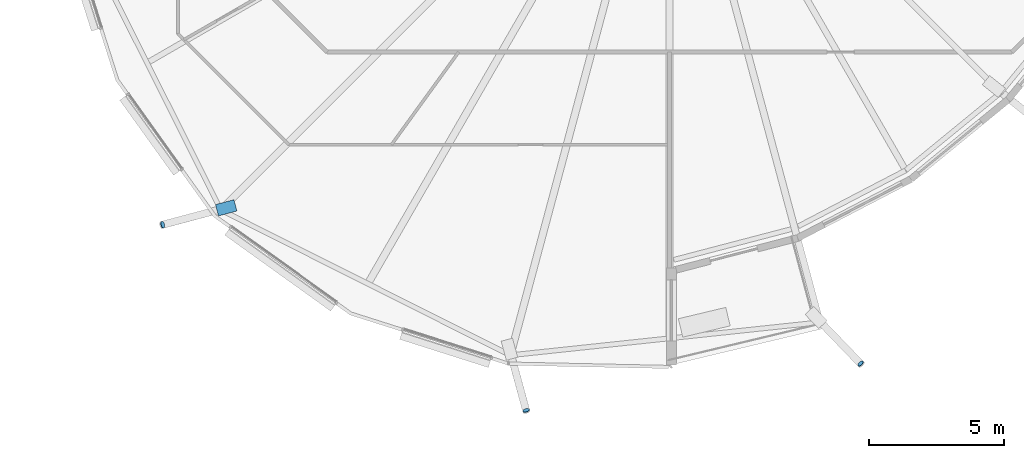
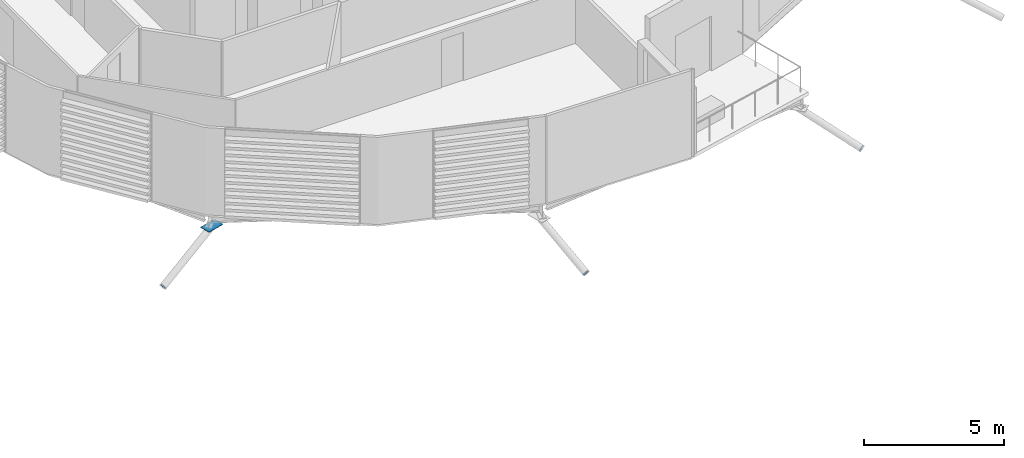
# One storey, part 32 of 43: 4 discrete accessories.
"""IFC4 building model written with IfcOpenShell, lengths in metres."""

from ifc_helpers import new_model, si_unit, direction, frame, origin, origin_2d, place, context, subcontext, project, spatial, polyline, rectangle, circle, outline, extrude, material, material_profile, profile_set, type_object, element, save


model = new_model("IFC4")

# Units and contexts
model_context = context("Model", 3, precision=1e-05, world=origin(), true_north=direction((0.0, 1.0)))
body_context = subcontext(model_context, "Body", "Model", "MODEL_VIEW")
ifc_project = project(units=[si_unit("LENGTHUNIT", "METRE"), si_unit("AREAUNIT", "SQUARE_METRE"), si_unit("VOLUMEUNIT", "CUBIC_METRE"), si_unit("PLANEANGLEUNIT", "RADIAN"), si_unit("MASSUNIT", "GRAM", prefix="KILO")], contexts=[model_context])

# Site, building, storey
site_placement = place(None, origin())
site = spatial("IfcSite", under=ifc_project, at=site_placement, CompositionType="ELEMENT")
building_placement = place(site_placement, origin())
building = spatial("IfcBuilding", under=site, at=building_placement, Name="Rimbun Link Towers", CompositionType="ELEMENT")
storey_placement = place(building_placement, frame((0.0, 0.0, 81.60009765625)))
storey = spatial("IfcBuildingStorey", under=building, at=storey_placement, Name="L19", CompositionType="ELEMENT", Elevation=81.60009765625)

# Discrete accessories
ifc_material_1 = material(Name="Steel S355J2H", Category="steel")
ifc_material_profile_1 = material_profile(ifc_material_1, circle(Radius=0.1240234375, at=origin_2d()), Name="PL D248")
ifc_profile_set_1 = profile_set([ifc_material_profile_1], Name="Steel S355J2H")
discrete_accessory_type_1 = type_object("IfcDiscreteAccessoryType", Name="Link foot sealing plate D248X20", PredefinedType="BRACKET", material=ifc_profile_set_1)
discrete_accessory_1_placement = place(storey_placement, frame((13.022705078125, -17.129150390625, -2.27099609375), z_axis=(-0.835189264332, -0.221079511147, -0.503569997612), x_axis=(0.255892560316, -0.966705227862, 0.0)))
element("IfcDiscreteAccessory", 1, at=discrete_accessory_1_placement, inside=storey, type_object=discrete_accessory_type_1, Name="Link foot sealing plate T2 L19 12", PredefinedType="BRACKET", context=body_context, shape_type="SweptSolid", body=[
    extrude(circle(Radius=0.1240234375, at=origin_2d()), origin(), (0.0, 0.0, 1.0), 0.019775390625),
])
for number, where, z_axis, x_axis, name in (
    (2, (26.447998046875, -23.9873046875, -2.220703125), (0.230714403426, -0.850000433674, -0.47357167019), (0.965081274591, 0.261950631675, 0.0), "Link foot sealing plate T2 L19 14"),
    (3, (38.806396484375, -22.260986328125, -2.17578125), (0.61080164127, -0.623017674096, -0.488641313016), (0.714072839145, 0.700071410926, 0.0), "Link foot sealing plate T2 L19 16"),
):
    element("IfcDiscreteAccessory", number, at=place(storey_placement, frame(where, z_axis=z_axis, x_axis=x_axis)), inside=storey, type_object=discrete_accessory_type_1, Name=name, PredefinedType="BRACKET", context=body_context, shape_type="SweptSolid", body=[
        extrude(circle(Radius=0.1240234375, at=origin_2d()), origin(), (0.0, 0.0, 1.0), 0.02001953125),
    ])
ifc_material_2 = material(Name="Steel S355J2H", Category="steel")
ifc_material_profile_2 = material_profile(ifc_material_2, rectangle(XDim=0.43310546875, YDim=0.43310546875, at=origin_2d()), Name="PL 433x433")
ifc_profile_set_2 = profile_set([ifc_material_profile_2], Name="Steel S355J2H")
discrete_accessory_type_2 = type_object("IfcDiscreteAccessoryType", Name="Link head end plate 433X20", PredefinedType="BRACKET", material=ifc_profile_set_2)
discrete_accessory_2_placement = place(storey_placement, frame((0.0, 0.0, -0.863525390625)))
element("IfcDiscreteAccessory", 4, at=discrete_accessory_2_placement, inside=storey, type_object=discrete_accessory_type_2, Name="Link head end plate T2 L19 12", PredefinedType="BRACKET", context=body_context, shape_type="SweptSolid", body=[
    extrude(outline(polyline([(15.648681640625, -16.204833984375), (14.96875, -16.38623046875), (15.080322265625, -16.8046875), (15.76025390625, -16.623291015625), (15.648681640625, -16.204833984375)])), origin(), (0.0, 0.0, 1.0), 0.02001953125),
])

save(model, "model.ifc")
